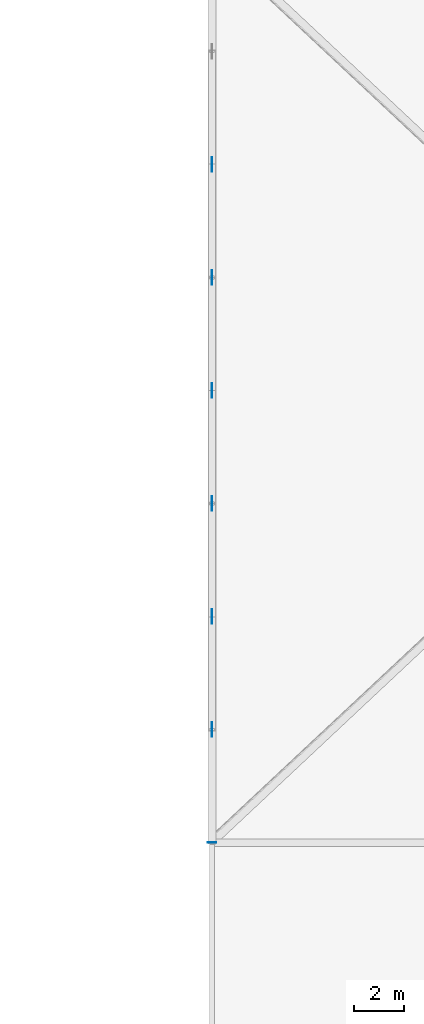
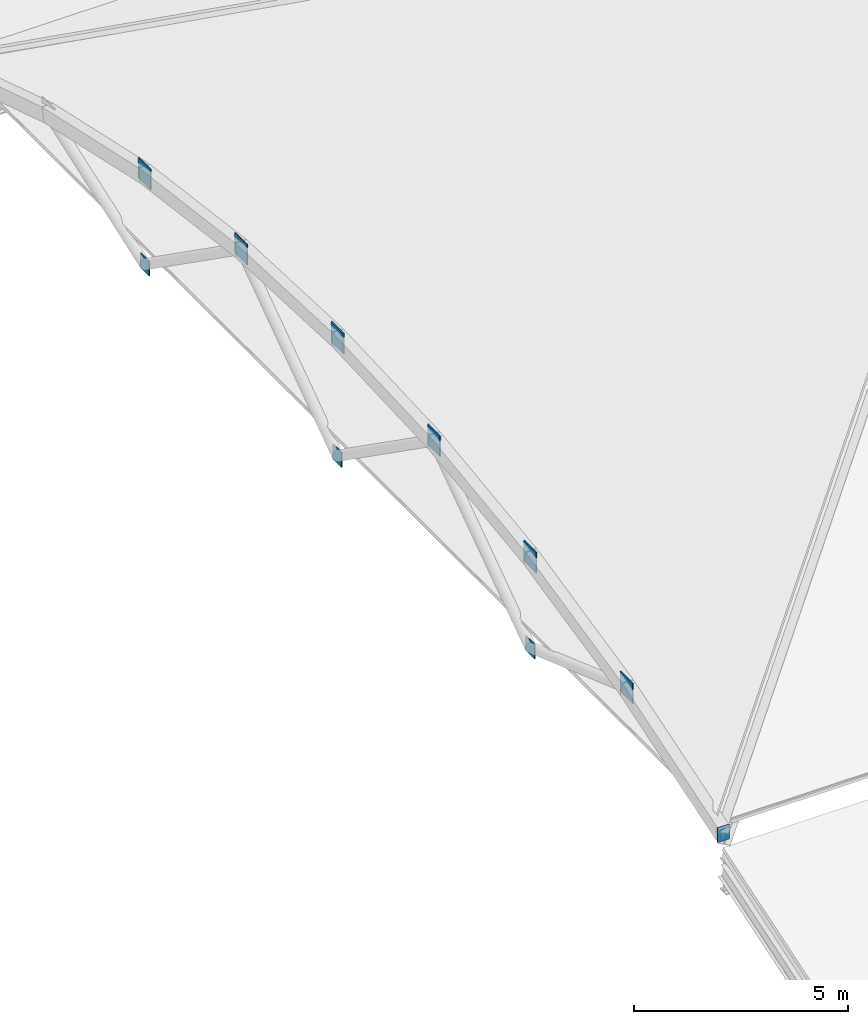
# One storey, part 5 of 16: 10 plates.
"""IFC4 building model written with IfcOpenShell, lengths in metres."""

from ifc_helpers import new_model, si_unit, direction, frame, origin, origin_2d, place, context, subcontext, project, spatial, rectangle, extrude, material, layer, layer_set, type_object, element, save


model = new_model("IFC4")

# Units and contexts
model_context = context("Model", 3, precision=1e-05, world=origin(), true_north=direction((0.0, 1.0)))
body_context = subcontext(model_context, "Body", "Model", "MODEL_VIEW")
ifc_project = project(units=[si_unit("LENGTHUNIT", "METRE"), si_unit("AREAUNIT", "SQUARE_METRE"), si_unit("VOLUMEUNIT", "CUBIC_METRE"), si_unit("PLANEANGLEUNIT", "RADIAN"), si_unit("MASSUNIT", "GRAM", prefix="KILO")], contexts=[model_context])

# Site, building, storey
site_placement = place(None, origin())
site = spatial("IfcSite", under=ifc_project, at=site_placement, CompositionType="ELEMENT")
building_placement = place(site_placement, origin())
building = spatial("IfcBuilding", under=site, at=building_placement, Name="Zarnetskaya Central Station", CompositionType="ELEMENT")
storey_placement = place(building_placement, frame((0.0, 0.0, 27.0)))
storey = spatial("IfcBuildingStorey", under=building, at=storey_placement, Name="RF", CompositionType="ELEMENT", Elevation=27.0)

# Plates
ifc_material = material(Name="Steel S355", Category="steel")
ifc_layer_1 = layer(ifc_material, 0.02001953125, Name="Steel S355", Category="steel")
ifc_layer_set_1 = layer_set([ifc_layer_1], Name="Steel S355")
plate_type_1 = type_object("IfcPlateType", Name="ND-ENDCAP-20", PredefinedType="SHEET", material=ifc_layer_set_1)
plate_1_placement = place(storey_placement, frame((57.60009765625, 22.199951171875, -13.10986328125), z_axis=(0.0, 0.0, 1.0), x_axis=(1.0, 0.0, 0.0)))
element("IfcPlate", 1, at=plate_1_placement, inside=storey, type_object=plate_type_1, Name="ROOF TRUSS RT-01 end cap plate 1", PredefinedType="SHEET", context=body_context, shape_type="SweptSolid", body=[
    extrude(rectangle(XDim=0.320068359375, YDim=0.02001953125, at=origin_2d()), origin(), (0.0, 0.0, 1.0), 0.419921875),
])
ifc_layer_2 = layer(ifc_material, 0.028076171875, Name="Steel S355", Category="steel")
ifc_layer_set_2 = layer_set([ifc_layer_2], Name="Steel S355")
plate_type_2 = type_object("IfcPlateType", Name="ND-GUSSET-28", PredefinedType="USERDEFINED", material=ifc_layer_set_2)
for number, where, z_axis, x_axis, name in (
    (2, (57.60009765625, 26.699951171875, -11.75830078125), (0.0, 0.0, 1.0), (1.0, 0.0, 0.0), "ROOF TRUSS RT-01 gusset node plate 1"),
    (3, (57.60009765625, 31.199951171875, -10.760009765625), (0.0, 0.0, 1.0), (1.0, 0.0, 0.0), "ROOF TRUSS RT-01 gusset node plate 2"),
    (4, (57.60009765625, 35.699951171875, -10.17041015625), (0.0, 0.0, 1.0), (1.0, 0.0, 0.0), "ROOF TRUSS RT-01 gusset node plate 3"),
    (5, (57.60009765625, 44.699951171875, -10.17041015625), (0.0, 0.0, 1.0), (1.0, 0.0, 0.0), "ROOF TRUSS RT-01 gusset node plate 5"),
    (6, (57.60009765625, 49.199951171875, -10.760009765625), (0.0, 0.0, 1.0), (1.0, 0.0, 0.0), "ROOF TRUSS RT-01 gusset node plate 6"),
):
    element("IfcPlate", number, at=place(storey_placement, frame(where, z_axis=z_axis, x_axis=x_axis)), inside=storey, type_object=plate_type_2, Name=name, ObjectType="GUSSET PLATE", PredefinedType="USERDEFINED", context=body_context, shape_type="SweptSolid", body=[
        extrude(rectangle(XDim=0.028076171875, YDim=0.580078125, at=origin_2d()), origin(), (0.0, 0.0, 1.0), 0.580078125),
    ])
for number, where, z_axis, x_axis, name in (
    (7, (57.60009765625, 31.199951171875, -13.260009765625), (0.0, 0.0, 1.0), (1.0, 0.0, 0.0), "Structural member end gusset plate 001"),
    (8, (57.60009765625, 40.199951171875, -13.260009765625), (0.0, 0.0, 1.0), (1.0, 0.0, 0.0), "Structural member end gusset plate 002"),
    (9, (57.60009765625, 49.199951171875, -13.260009765625), (0.0, 0.0, 1.0), (1.0, 0.0, 0.0), "Structural member end gusset plate 003"),
):
    element("IfcPlate", number, at=place(storey_placement, frame(where, z_axis=z_axis, x_axis=x_axis)), inside=storey, type_object=plate_type_2, Name=name, ObjectType="GUSSET PLATE", PredefinedType="USERDEFINED", context=body_context, shape_type="SweptSolid", body=[
        extrude(rectangle(XDim=0.028076171875, YDim=0.419921875, at=origin_2d()), origin(), (0.0, 0.0, 1.0), 0.419921875),
    ])
ifc_layer_3 = layer(ifc_material, 0.035888671875, Name="Steel S355", Category="steel")
ifc_layer_set_3 = layer_set([ifc_layer_3], Name="Steel S355")
plate_type_3 = type_object("IfcPlateType", Name="ND-GUSSET-36", PredefinedType="USERDEFINED", material=ifc_layer_set_3)
plate_2_placement = place(storey_placement, frame((57.60009765625, 40.199951171875, -9.975341796875), z_axis=(0.0, 0.0, 1.0), x_axis=(1.0, 0.0, 0.0)))
element("IfcPlate", 10, at=plate_2_placement, inside=storey, type_object=plate_type_3, Name="ROOF TRUSS RT-01 gusset node plate 4", ObjectType="GUSSET PLATE", PredefinedType="USERDEFINED", context=body_context, shape_type="SweptSolid", body=[
    extrude(rectangle(XDim=0.035888671875, YDim=0.580078125, at=origin_2d()), origin(), (0.0, 0.0, 1.0), 0.580078125),
])

save(model, "model.ifc")
